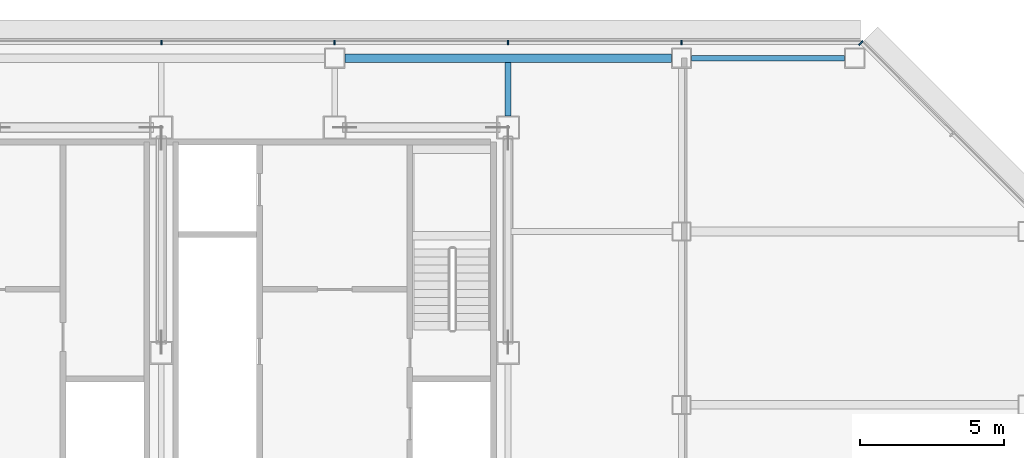
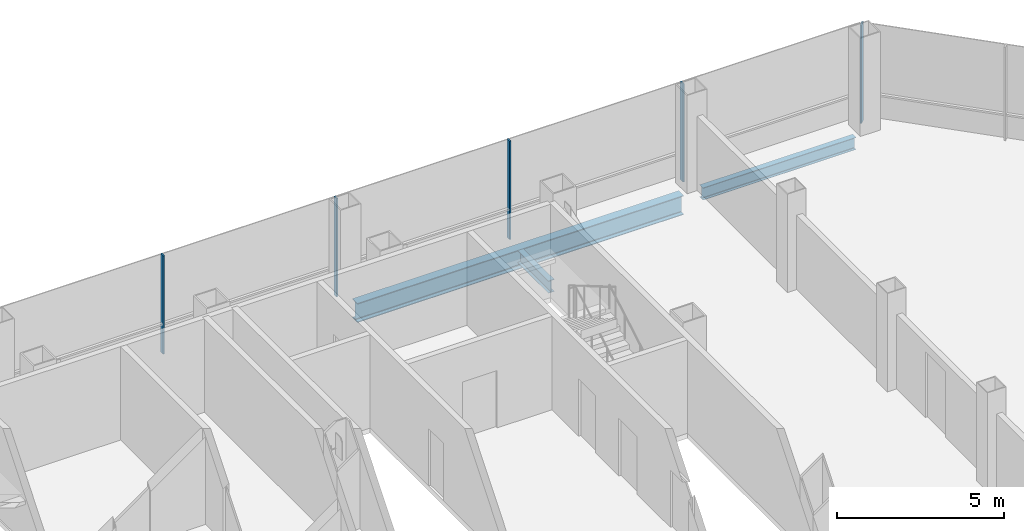
# One storey, part 14 of 24: 5 members, 3 beams, 2 elements without a shape of their own.
"""IFC4 building model written with IfcOpenShell, lengths in metres."""

from ifc_helpers import new_model, si_unit, direction, frame, origin, origin_2d, place, context, subcontext, project, spatial, rectangle, i_section, extrude, material, material_profile, profile_set, type_object, element, aggregate, save


model = new_model("IFC4")

# Units and contexts
model_context = context("Model", 3, precision=1e-05, world=origin(), true_north=direction((0.0, 1.0)))
body_context = subcontext(model_context, "Body", "Model", "MODEL_VIEW")
ifc_project = project(units=[si_unit("LENGTHUNIT", "METRE"), si_unit("AREAUNIT", "SQUARE_METRE"), si_unit("VOLUMEUNIT", "CUBIC_METRE"), si_unit("PLANEANGLEUNIT", "RADIAN"), si_unit("MASSUNIT", "GRAM", prefix="KILO")], contexts=[model_context])

# Site, building, storey
site_placement = place(None, origin())
site = spatial("IfcSite", under=ifc_project, at=site_placement, CompositionType="ELEMENT")
building_placement = place(site_placement, origin())
building = spatial("IfcBuilding", under=site, at=building_placement, Name="Sorahane Residences", CompositionType="ELEMENT")
storey_placement = place(building_placement, frame((0.0, 0.0, 178.0)))
storey = spatial("IfcBuildingStorey", under=building, at=storey_placement, Name="L41", CompositionType="ELEMENT", Elevation=178.0)

# Curtain wall, members
ifc_material_1 = material(Name="Dark low-e glass and black anodised aluminium", Category="aluminium")
curtain_wall_type_1 = type_object("IfcCurtainWallType", Name="Curtain wall CW-1 Typical unitised wall", PredefinedType="NOTDEFINED", material=ifc_material_1)
curtain_wall_1_placement = place(storey_placement, origin())
curtain_wall_1 = element("IfcCurtainWall", 1, at=curtain_wall_1_placement, inside=storey, type_object=curtain_wall_type_1, Name="CW-1 curtain wall L41 N1", PredefinedType="NOTDEFINED")
ifc_material_2 = material(Name="Black anodised aluminium", Category="aluminium")
ifc_material_profile_1 = material_profile(ifc_material_2, rectangle(XDim=0.159912109375, YDim=0.050048828125, at=origin_2d()), Name="Curtain wall mullion CW-1 black anodised aluminium 50x160")
ifc_profile_set_1 = profile_set([ifc_material_profile_1], Name="Black anodised aluminium")
member_type_1 = type_object("IfcMemberType", Name="Curtain wall mullion CW-1 black anodised aluminium 50x160", PredefinedType="MULLION", material=ifc_profile_set_1)
member_1_placement = place(storey_placement, frame((48.0, 48.5400390625, -0.179931640625), z_axis=(0.0, 0.0, 1.0), x_axis=(0.0, 1.0, 0.0)))
member_1 = element("IfcMember", 2, at=member_1_placement, type_object=member_type_1, Name="CW-1 mullion L41 N1.2", PredefinedType="MULLION", context=body_context, shape_type="SweptSolid", body=[
    extrude(rectangle(XDim=0.159912109375, YDim=0.050048828125, at=origin_2d()), origin(), (0.0, 0.0, 1.0), 3.599853515625),
])
member_2_placement = place(storey_placement, frame((42.0, 48.5400390625, -0.179931640625), z_axis=(0.0, 0.0, 1.0), x_axis=(0.0, 1.0, 0.0)))
member_2 = element("IfcMember", 3, at=member_2_placement, type_object=member_type_1, Name="CW-1 mullion L41 N1.3", PredefinedType="MULLION", context=body_context, shape_type="SweptSolid", body=[
    extrude(rectangle(XDim=0.159912109375, YDim=0.050048828125, at=origin_2d()), origin(), (0.0, 0.0, 1.0), 3.599853515625),
])
member_3_placement = place(storey_placement, frame((36.0, 48.5400390625, -0.179931640625), z_axis=(0.0, 0.0, 1.0), x_axis=(0.0, 1.0, 0.0)))
member_3 = element("IfcMember", 4, at=member_3_placement, type_object=member_type_1, Name="CW-1 mullion L41 N1.4", PredefinedType="MULLION", context=body_context, shape_type="SweptSolid", body=[
    extrude(rectangle(XDim=0.159912109375, YDim=0.050048828125, at=origin_2d()), origin(), (0.0, 0.0, 1.0), 3.599853515625),
])
member_4_placement = place(storey_placement, frame((30.0, 48.5400390625, -0.179931640625), z_axis=(0.0, 0.0, 1.0), x_axis=(0.0, 1.0, 0.0)))
member_4 = element("IfcMember", 5, at=member_4_placement, type_object=member_type_1, Name="CW-1 mullion L41 N1.5", PredefinedType="MULLION", context=body_context, shape_type="SweptSolid", body=[
    extrude(rectangle(XDim=0.159912109375, YDim=0.050048828125, at=origin_2d()), origin(), (0.0, 0.0, 1.0), 3.599853515625),
])
aggregate(curtain_wall_1, [member_1, member_2, member_3, member_4])

# Curtain wall, member
ifc_material_3 = material(Name="Dark low-e glass and black anodised aluminium", Category="aluminium")
curtain_wall_type_2 = type_object("IfcCurtainWallType", Name="Curtain wall CW-2 Chamfer unitised wall", PredefinedType="NOTDEFINED", material=ifc_material_3)
curtain_wall_2_placement = place(storey_placement, origin())
curtain_wall_2 = element("IfcCurtainWall", 6, at=curtain_wall_2_placement, inside=storey, type_object=curtain_wall_type_2, Name="CW-2 curtain wall L41 NE1", PredefinedType="NOTDEFINED")
ifc_material_4 = material(Name="Black anodised aluminium", Category="aluminium")
ifc_material_profile_2 = material_profile(ifc_material_4, rectangle(XDim=0.199951171875, YDim=0.050048828125, at=origin_2d()), Name="Curtain wall mullion CW-2 black anodised aluminium 50x200")
ifc_profile_set_2 = profile_set([ifc_material_profile_2], Name="Black anodised aluminium")
member_type_2 = type_object("IfcMemberType", Name="Curtain wall mullion CW-2 black anodised aluminium 50x200", PredefinedType="MULLION", material=ifc_profile_set_2)
member_5_placement = place(storey_placement, frame((54.209716796875, 48.525634765625, -0.179931640625), z_axis=(0.0, 0.0, 1.0), x_axis=(0.707106781187, 0.707106781187, 0.0)))
member_5 = element("IfcMember", 7, at=member_5_placement, type_object=member_type_2, Name="CW-2 mullion L41 NE1.3", PredefinedType="MULLION", context=body_context, shape_type="SweptSolid", body=[
    extrude(rectangle(XDim=0.199951171875, YDim=0.050048828125, at=origin_2d()), origin(), (0.0, 0.0, 1.0), 3.599853515625),
])
aggregate(curtain_wall_2, [member_5])

# Beams
ifc_material_5 = material(Name="Steel Q355B", Category="steel")
ifc_material_profile_3 = material_profile(ifc_material_5, i_section(OverallWidth=0.199951171875, OverallDepth=0.449951171875, WebThickness=0.009033203125, FlangeThickness=0.013916015625, FilletRadius=0.02001953125, at=origin_2d()), Name="HN 450x200x9x14")
ifc_profile_set_3 = profile_set([ifc_material_profile_3], Name="Steel Q355B")
beam_type_1 = type_object("IfcBeamType", Name="Steel floor beam HN 450x200x9x14 Q355B", PredefinedType="BEAM", material=ifc_profile_set_3)
beam_1_placement = place(storey_placement, frame((48.35009765625, 48.0, -0.405029296875), z_axis=(1.0, 0.0, 0.0), x_axis=(0.0, 1.0, 0.0)))
element("IfcBeam", 8, at=beam_1_placement, inside=storey, type_object=beam_type_1, Name="Beam L41 019", PredefinedType="BEAM", context=body_context, shape_type="SweptSolid", body=[
    extrude(i_section(OverallWidth=0.199951171875, OverallDepth=0.449951171875, WebThickness=0.009033203125, FlangeThickness=0.013916015625, FilletRadius=0.02001953125, at=origin_2d()), origin(), (0.0, 0.0, 1.0), 5.2998046875),
])
beam_2_placement = place(storey_placement, frame((42.0, 46.0, -0.405029296875), z_axis=(0.0, 1.0, 0.0), x_axis=(-1.0, 0.0, 0.0)))
element("IfcBeam", 9, at=beam_2_placement, inside=storey, type_object=beam_type_1, Name="Beam L41 057", PredefinedType="BEAM", context=body_context, shape_type="SweptSolid", body=[
    extrude(i_section(OverallWidth=0.199951171875, OverallDepth=0.449951171875, WebThickness=0.009033203125, FlangeThickness=0.013916015625, FilletRadius=0.02001953125, at=origin_2d()), origin(), (0.0, 0.0, 1.0), 1.85009765625),
])
ifc_material_6 = material(Name="Steel Q355B", Category="steel")
ifc_material_profile_4 = material_profile(ifc_material_6, i_section(OverallWidth=0.300048828125, OverallDepth=0.699951171875, WebThickness=0.012939453125, FlangeThickness=0.02392578125, FilletRadius=0.028076171875, at=origin_2d()), Name="HN 700x300x13x24")
ifc_profile_set_4 = profile_set([ifc_material_profile_4], Name="Steel Q355B")
beam_type_2 = type_object("IfcBeamType", Name="Steel floor beam HN 700x300x13x24 Q355B", PredefinedType="BEAM", material=ifc_profile_set_4)
beam_3_placement = place(storey_placement, frame((36.35009765625, 48.0, -0.530029296875), z_axis=(1.0, 0.0, 0.0), x_axis=(0.0, 1.0, 0.0)))
element("IfcBeam", 10, at=beam_3_placement, inside=storey, type_object=beam_type_2, Name="Beam L41 018", PredefinedType="BEAM", context=body_context, shape_type="SweptSolid", body=[
    extrude(i_section(OverallWidth=0.300048828125, OverallDepth=0.699951171875, WebThickness=0.012939453125, FlangeThickness=0.02392578125, FilletRadius=0.028076171875, at=origin_2d()), origin(), (0.0, 0.0, 1.0), 11.2998046875),
])

save(model, "model.ifc")
